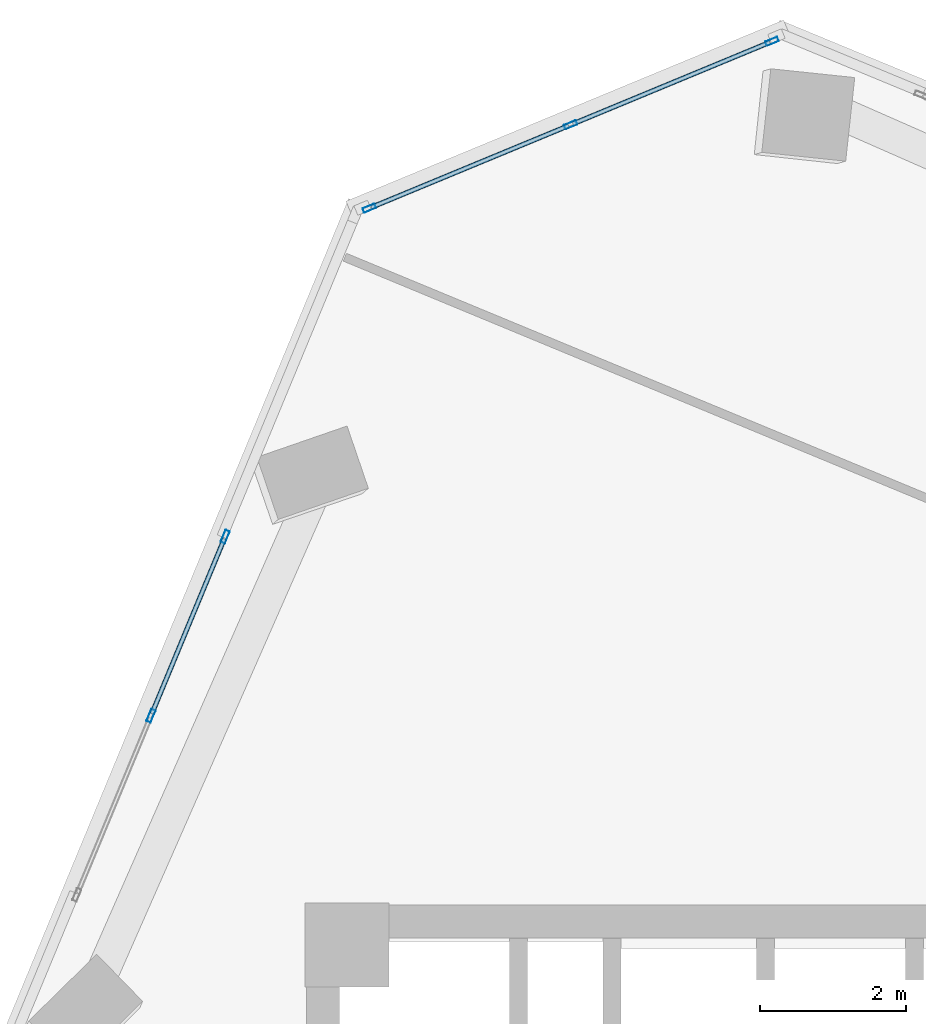
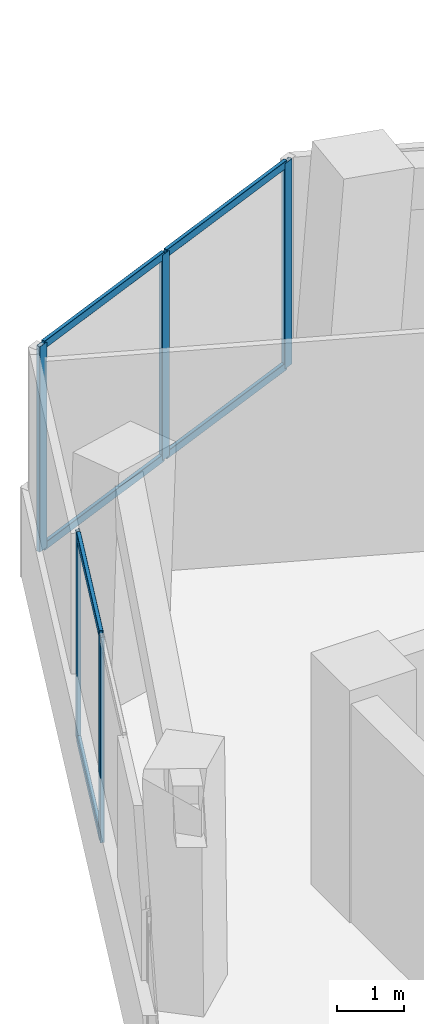
# One storey, part 12 of 23: 11 members, 2 elements without a shape of their own.
"""IFC4 building model written with IfcOpenShell, lengths in metres."""

import ifcopenshell
import ifcopenshell.guid

model = None  # the IFC model being written
_history = None  # IfcOwnerHistory: only IFC2X3 demands one
_inside = {}  # id of a spatial element -> (the spatial element, [elements in it])
_under = {}  # id of a project, library or spatial element -> (it, [spatial elements below it])
_declared = {}  # id of a project -> (the project, [libraries it declares])
_typed = {}  # id of a type object -> (the type object, [elements of that type])
_made_of = {}  # id of a material, layer set ... -> (it, [elements and type objects made of it])


def new_model(schema):
    """Start an empty IFC model of exactly this schema.

    Asked for "IFC4X3", IfcOpenShell would pick the latest addendum, in which some entities
    have other attributes; the version numbers below select the first issue.
    IFC2X3 requires an IfcOwnerHistory on every rooted entity: one is made here for all.
    """
    global model, _history
    if schema == "IFC4X3":
        model = ifcopenshell.file(schema_version=(4, 3, 0, 0))
    else:
        model = ifcopenshell.file(schema=schema)
    _inside.clear()
    _under.clear()
    _declared.clear()
    _typed.clear()
    _made_of.clear()
    _history = None
    if model.schema == "IFC2X3":
        org = make("IfcOrganization", Name="unknown")
        user = make(
            "IfcPersonAndOrganization",
            ThePerson=make("IfcPerson", FamilyName="unknown"),
            TheOrganization=org,
        )
        app = make(
            "IfcApplication",
            ApplicationDeveloper=org,
            Version="unknown",
            ApplicationFullName="unknown",
            ApplicationIdentifier="unknown",
        )
        _history = make(
            "IfcOwnerHistory",
            OwningUser=user,
            OwningApplication=app,
            ChangeAction="ADDED",
            CreationDate=0,
        )
    return model


def make(cls, **values):
    """One entity of the class cls with the attributes given. An attribute that is None is left unset."""
    return model.create_entity(
        cls, **{name: value for name, value in values.items() if value is not None}
    )


def rooted(cls, **values):
    """An entity with a GlobalId (a new one), such as an element, a storey or a relation."""
    return make(cls, GlobalId=ifcopenshell.guid.new(), OwnerHistory=_history, **values)


def si_unit(unit_type, name, prefix=None):
    """IfcSIUnit, for example si_unit("LENGTHUNIT", "METRE", prefix="MILLI")."""
    return make("IfcSIUnit", UnitType=unit_type, Prefix=prefix, Name=name)


def assignment(units):
    """IfcUnitAssignment: the units of a project."""
    return None if units is None else make("IfcUnitAssignment", Units=units)


def point(xyz):
    """IfcCartesianPoint."""
    return None if xyz is None else make("IfcCartesianPoint", Coordinates=xyz)


def direction(xyz):
    """IfcDirection."""
    return None if xyz is None else make("IfcDirection", DirectionRatios=xyz)


def frame(location, z_axis=None, x_axis=None):
    """IfcAxis2Placement3D, a coordinate frame: its origin and axes. An axis left out is left unset."""
    return make(
        "IfcAxis2Placement3D",
        Location=point(location),
        Axis=direction(z_axis),
        RefDirection=direction(x_axis),
    )


def frame_2d(location, x_axis=None):
    """IfcAxis2Placement2D, a coordinate frame in the plane: its origin and x axis."""
    return make(
        "IfcAxis2Placement2D", Location=point(location), RefDirection=direction(x_axis)
    )


def origin():
    """The frame at (0, 0, 0) with its axes left unset."""
    return frame((0.0, 0.0, 0.0))


def origin_2d():
    """The frame at (0, 0) in the plane with its x axis left unset."""
    return frame_2d((0.0, 0.0))


def place(relative_to, where):
    """IfcLocalPlacement: puts the frame where relative to a parent placement (None: the world)."""
    return make(
        "IfcLocalPlacement", PlacementRelTo=relative_to, RelativePlacement=where
    )


def context(
    kind, dimensions, precision=None, world=None, true_north=None, identifier=None
):
    """IfcGeometricRepresentationContext, for example the 3D "Model" context."""
    return make(
        "IfcGeometricRepresentationContext",
        ContextIdentifier=identifier,
        ContextType=kind,
        CoordinateSpaceDimension=dimensions,
        Precision=precision,
        WorldCoordinateSystem=world,
        TrueNorth=true_north,
    )


def subcontext(parent, identifier, kind, view, scale=None):
    """IfcGeometricRepresentationSubContext, for example "Body" below "Model"."""
    return make(
        "IfcGeometricRepresentationSubContext",
        ContextIdentifier=identifier,
        ContextType=kind,
        ParentContext=parent,
        TargetScale=scale,
        TargetView=view,
    )


def project(units=None, contexts=None):
    """IfcProject with its units and contexts."""
    return rooted(
        "IfcProject",
        Name="project",
        RepresentationContexts=contexts,
        UnitsInContext=assignment(units),
    )


def spatial(cls, under=None, at=None, **own):
    """A site, building, storey or space (cls), placed at a placement, below another one or the project."""
    s = rooted(cls, ObjectPlacement=at, **own)
    if under is not None:
        _under.setdefault(under.id(), (under, []))[1].append(s)
    return s


def profile(cls, at=None, kind="AREA", **sizes):
    """A parametric profile (cls). Its sizes go by their IFC names, for example OverallWidth=200.0."""
    return make(cls, ProfileType=kind, Position=at, **sizes)


def hollow_rectangle(**sizes):
    """IfcRectangleHollowProfileDef."""
    return profile("IfcRectangleHollowProfileDef", **sizes)


def extrude(swept, where, along, depth):
    """IfcExtrudedAreaSolid: the profile swept, set in the frame where, extruded along a direction by depth."""
    return make(
        "IfcExtrudedAreaSolid",
        SweptArea=swept,
        Position=where,
        ExtrudedDirection=direction(along),
        Depth=depth,
    )


def shape(context_of_items, identifier, shape_type, items):
    """IfcShapeRepresentation: the items that make up one representation, for example the "Body"."""
    return make(
        "IfcShapeRepresentation",
        ContextOfItems=context_of_items,
        RepresentationIdentifier=identifier,
        RepresentationType=shape_type,
        Items=items,
    )


def source(mapping_origin, context_of_items, identifier, shape_type, items):
    """IfcRepresentationMap: a shape defined once, which mapped items show again and again."""
    return make(
        "IfcRepresentationMap",
        MappingOrigin=mapping_origin,
        MappedRepresentation=shape(context_of_items, identifier, shape_type, items),
    )


def transform(
    local_origin,
    x_axis=None,
    y_axis=None,
    z_axis=None,
    scale=None,
    scale2=None,
    scale3=None,
    uniform=True,
):
    """IfcCartesianTransformationOperator3D, or its non-uniform kind. x_axis, y_axis, z_axis: its Axis1, 2, 3."""
    if uniform:
        return make(
            "IfcCartesianTransformationOperator3D",
            Axis1=direction(x_axis),
            Axis2=direction(y_axis),
            LocalOrigin=point(local_origin),
            Scale=scale,
            Axis3=direction(z_axis),
        )
    return make(
        "IfcCartesianTransformationOperator3DnonUniform",
        Axis1=direction(x_axis),
        Axis2=direction(y_axis),
        LocalOrigin=point(local_origin),
        Scale=scale,
        Axis3=direction(z_axis),
        Scale2=scale2,
        Scale3=scale3,
    )


def mapped(mapping_source, mapping_target):
    """IfcMappedItem: shows the shape of a source again, moved by a transform."""
    return make(
        "IfcMappedItem", MappingSource=mapping_source, MappingTarget=mapping_target
    )


def material(Name=None, Category=None):
    """IfcMaterial."""
    return make("IfcMaterial", Name=Name, Category=Category)


def material_profile(
    of_material, cross_section, Name=None, Category=None, Priority=None
):
    """IfcMaterialProfile: a cross section and its material."""
    return make(
        "IfcMaterialProfile",
        Name=Name,
        Material=of_material,
        Profile=cross_section,
        Priority=Priority,
        Category=Category,
    )


def profile_set(profiles, Name=None, composite=None):
    """IfcMaterialProfileSet."""
    return make(
        "IfcMaterialProfileSet",
        Name=Name,
        MaterialProfiles=profiles,
        CompositeProfile=composite,
    )


def made_of(thing, what):
    """Note that an element or type object is made of a material, layer set ...; save() writes the relation."""
    if what is not None:
        _made_of.setdefault(what.id(), (what, []))[1].append(thing)
    return thing


def type_object(cls, material=None, **own):
    """A type object (cls), such as IfcWallType, which elements share."""
    return made_of(rooted(cls, **own), material)


def element(
    cls,
    number,
    at=None,
    inside=None,
    cuts=None,
    type_object=None,
    material=None,
    context=None,
    identifier="Body",
    shape_type=None,
    held_by="IfcProductDefinitionShape",
    body=None,
    shapes=None,
    **own,
):
    """One element of the class cls, such as IfcWall. Its Tag is "e" and its number.

    at: its placement. inside: the storey or other place that contains it. cuts: it is an
    opening in that element (IfcRelVoidsElement). A single representation is given by context,
    identifier, shape_type and body (its items); several are given by shapes. held_by: the class
    of the entity that holds the representations. save() writes the other relations.
    """
    e = rooted(cls, Tag="e%d" % number, ObjectPlacement=at, **own)
    if body is not None:
        shapes = [shape(context, identifier, shape_type, body)]
    if shapes is not None:
        e.Representation = make(held_by, Representations=shapes)
    if inside is not None:
        _inside.setdefault(inside.id(), (inside, []))[1].append(e)
    if cuts is not None:
        rooted(
            "IfcRelVoidsElement", RelatingBuildingElement=cuts, RelatedOpeningElement=e
        )
    if type_object is not None:
        _typed.setdefault(type_object.id(), (type_object, []))[1].append(e)
    return made_of(e, material)


def aggregate(whole, parts):
    """IfcRelAggregates: a whole, such as a stair, and the parts it consists of."""
    return rooted("IfcRelAggregates", RelatingObject=whole, RelatedObjects=parts)


def save(model, path):
    """Write the relations noted so far, then the file.

    IfcRelAggregates (storeys below a building ...), IfcRelContainedInSpatialStructure (elements
    in a storey), IfcRelDefinesByType, IfcRelAssociatesMaterial and IfcRelDeclares: one each for
    every whole, place, type object, material and project.
    """
    for whole, parts in _under.values():
        aggregate(whole, parts)
    for where, things in _inside.values():
        rooted(
            "IfcRelContainedInSpatialStructure",
            RelatedElements=things,
            RelatingStructure=where,
        )
    for kind, things in _typed.values():
        rooted("IfcRelDefinesByType", RelatedObjects=things, RelatingType=kind)
    for what, things in _made_of.values():
        rooted("IfcRelAssociatesMaterial", RelatedObjects=things, RelatingMaterial=what)
    for by, libraries in _declared.values():
        rooted("IfcRelDeclares", RelatingContext=by, RelatedDefinitions=libraries)
    model.write(path)


model = new_model("IFC4")

# Units and contexts
model_context = context("Model", 3, precision=1e-05, world=origin(), true_north=direction((0.0, 1.0)))
body_context = subcontext(model_context, "Body", "Model", "MODEL_VIEW")
ifc_project = project(units=[si_unit("LENGTHUNIT", "METRE"), si_unit("AREAUNIT", "SQUARE_METRE"), si_unit("VOLUMEUNIT", "CUBIC_METRE"), si_unit("PLANEANGLEUNIT", "RADIAN"), si_unit("MASSUNIT", "GRAM", prefix="KILO")], contexts=[model_context])

# Site, building, storey
site_placement = place(None, origin())
site = spatial("IfcSite", under=ifc_project, at=site_placement, CompositionType="ELEMENT")
building_placement = place(site_placement, origin())
building = spatial("IfcBuilding", under=site, at=building_placement, Name="Torre Montelarca", CompositionType="ELEMENT")
storey_placement = place(building_placement, frame((0.0, 0.0, 145.60009765625)))
storey = spatial("IfcBuildingStorey", under=building, at=storey_placement, Name="L32", CompositionType="ELEMENT", Elevation=145.60009765625)

# Curtain wall, members
ifc_material_1 = material(Name="Insulated low-E laminated glass", Category="glass")
curtain_wall_type = type_object("IfcCurtainWallType", Name="CW-SYS-Z2", PredefinedType="USERDEFINED", material=ifc_material_1)
curtain_wall_1_placement = place(storey_placement, origin())
curtain_wall_1 = element("IfcCurtainWall", 1, at=curtain_wall_1_placement, inside=storey, type_object=curtain_wall_type, Name="L32 Curtain Wall Run CW-T3-L32-E09-B1", ObjectType="UNITISED GLAZING", PredefinedType="USERDEFINED")
ifc_material_2 = material(Name="Anodised aluminium AA 6063-T6", Category="aluminium")
ifc_material_profile_1 = material_profile(ifc_material_2, hollow_rectangle(XDim=0.06494140625, YDim=0.139892578125, WallThickness=0.00390625, InnerFilletRadius=0.00390625, OuterFilletRadius=0.008056640625, at=origin_2d()), Name="ALU65X140X4", Category="aluminium")
ifc_profile_set_1 = profile_set([ifc_material_profile_1], Name="Anodised aluminium AA 6063-T6")
member_type_1 = type_object("IfcMemberType", Name="CWT-ALU140", PredefinedType="USERDEFINED", material=ifc_profile_set_1)
shared_shape_1 = source(origin(), body_context, "Body", "SweptSolid", [
    extrude(hollow_rectangle(XDim=0.06494140625, YDim=0.139892578125, WallThickness=0.00390625, InnerFilletRadius=0.00390625, OuterFilletRadius=0.008056640625, at=origin_2d()), origin(), (0.0, 0.0, 1.0), 2.918701171875),
])
member_1_placement = place(storey_placement, frame((15.3408203125, 51.809814453125, 0.032470703125), z_axis=(-0.92387920118, -0.382684232268, 0.0), x_axis=(0.382684232268, -0.92387920118, 0.0)))
member_1 = element("IfcMember", 2, at=member_1_placement, type_object=member_type_1, Name="CW transom 1.1", ObjectType="TRANSOM", PredefinedType="USERDEFINED", context=body_context, shape_type="MappedRepresentation", body=[
    mapped(shared_shape_1, transform((0.0, 0.0, 0.0), scale=1.0)),
])
member_2_placement = place(storey_placement, frame((15.3408203125, 51.809814453125, 3.6875), z_axis=(-0.92387920118, -0.382684232268, 0.0), x_axis=(0.382684232268, -0.92387920118, 0.0)))
member_2 = element("IfcMember", 3, at=member_2_placement, type_object=member_type_1, Name="CW transom 1.2", ObjectType="TRANSOM", PredefinedType="USERDEFINED", context=body_context, shape_type="MappedRepresentation", body=[
    mapped(shared_shape_1, transform((0.0, 0.0, 0.0), scale=1.0)),
])
member_3_placement = place(storey_placement, frame((12.584228515625, 50.66796875, 0.032470703125), z_axis=(-0.923908773038, -0.382612831859, 0.0), x_axis=(0.382612831859, -0.923908773038, 0.0)))
member_3 = element("IfcMember", 4, at=member_3_placement, type_object=member_type_1, Name="CW transom 2.1", ObjectType="TRANSOM", PredefinedType="USERDEFINED", context=body_context, shape_type="MappedRepresentation", body=[
    mapped(shared_shape_1, transform((0.0, 0.0, 0.0), scale=1.0)),
])
member_4_placement = place(storey_placement, frame((12.584228515625, 50.66796875, 3.6875), z_axis=(-0.923908773038, -0.382612831859, 0.0), x_axis=(0.382612831859, -0.923908773038, 0.0)))
member_4 = element("IfcMember", 5, at=member_4_placement, type_object=member_type_1, Name="CW transom 2.2", ObjectType="TRANSOM", PredefinedType="USERDEFINED", context=body_context, shape_type="MappedRepresentation", body=[
    mapped(shared_shape_1, transform((0.0, 0.0, 0.0), scale=1.0)),
])

curtain_wall_2_placement = place(storey_placement, origin())
curtain_wall_2 = element("IfcCurtainWall", 6, at=curtain_wall_2_placement, inside=storey, type_object=curtain_wall_type, Name="L32 Curtain Wall Run CW-T3-L32-E10-B1", ObjectType="UNITISED GLAZING", PredefinedType="USERDEFINED")
shared_shape_2 = source(origin(), body_context, "Body", "SweptSolid", [
    extrude(hollow_rectangle(XDim=0.06494140625, YDim=0.139892578125, WallThickness=0.00390625, InnerFilletRadius=0.00390625, OuterFilletRadius=0.008056640625, at=origin_2d()), origin(), (0.0, 0.0, 1.0), 2.588623046875),
])
member_5_placement = place(storey_placement, frame((7.87158203125, 45.0107421875, 0.032470703125), z_axis=(-0.382712729292, -0.923867396783, 0.0), x_axis=(0.923867396783, -0.382712729292, 0.0)))
member_5 = element("IfcMember", 7, at=member_5_placement, type_object=member_type_1, Name="CW transom 1.1", ObjectType="TRANSOM", PredefinedType="USERDEFINED", context=body_context, shape_type="MappedRepresentation", body=[
    mapped(shared_shape_2, transform((0.0, 0.0, 0.0), scale=1.0)),
])
member_6_placement = place(storey_placement, frame((7.87158203125, 45.0107421875, 3.6875), z_axis=(-0.382712729292, -0.923867396783, 0.0), x_axis=(0.923867396783, -0.382712729292, 0.0)))
member_6 = element("IfcMember", 8, at=member_6_placement, type_object=member_type_1, Name="CW transom 1.2", ObjectType="TRANSOM", PredefinedType="USERDEFINED", context=body_context, shape_type="MappedRepresentation", body=[
    mapped(shared_shape_2, transform((0.0, 0.0, 0.0), scale=1.0)),
])

# Member
ifc_material_profile_2 = material_profile(ifc_material_2, hollow_rectangle(XDim=0.06494140625, YDim=0.179931640625, WallThickness=0.00390625, InnerFilletRadius=0.00390625, OuterFilletRadius=0.008056640625, at=origin_2d()), Name="ALU65X180X4", Category="aluminium")
ifc_profile_set_2 = profile_set([ifc_material_profile_2], Name="Anodised aluminium AA 6063-T6")
member_type_2 = type_object("IfcMemberType", Name="CWM-ALU180", PredefinedType="MULLION", material=ifc_profile_set_2)
shared_shape_3 = source(origin(), body_context, "Body", "SweptSolid", [
    extrude(hollow_rectangle(XDim=0.06494140625, YDim=0.179931640625, WallThickness=0.00390625, InnerFilletRadius=0.00390625, OuterFilletRadius=0.008056640625, at=origin_2d()), origin(), (0.0, 0.0, 1.0), 3.719970703125),
])
member_7_placement = place(storey_placement, frame((15.370849609375, 51.822265625, 0.0), z_axis=(0.0, 0.0, 1.0), x_axis=(0.38267584742, -0.923882674262, 0.0)))
member_7 = element("IfcMember", 9, at=member_7_placement, type_object=member_type_2, Name="CW mullion 1", PredefinedType="MULLION", context=body_context, shape_type="MappedRepresentation", body=[
    mapped(shared_shape_3, transform((0.0, 0.0, 0.0), scale=1.0)),
])

member_8_placement = place(storey_placement, frame((12.6142578125, 50.680419921875, 0.0), z_axis=(0.0, 0.0, 1.0), x_axis=(0.38267584742, -0.923882674262, 0.0)))
member_8 = element("IfcMember", 10, at=member_8_placement, type_object=member_type_2, Name="CW mullion 2", PredefinedType="MULLION", context=body_context, shape_type="MappedRepresentation", body=[
    mapped(shared_shape_3, transform((0.0, 0.0, 0.0), scale=1.0)),
])

member_9_placement = place(storey_placement, frame((9.857666015625, 49.538818359375, 0.0), z_axis=(0.0, 0.0, 1.0), x_axis=(0.38267584742, -0.923882674262, 0.0)))
member_9 = element("IfcMember", 11, at=member_9_placement, type_object=member_type_2, Name="CW mullion 3", PredefinedType="MULLION", context=body_context, shape_type="MappedRepresentation", body=[
    mapped(shared_shape_3, transform((0.0, 0.0, 0.0), scale=1.0)),
])

aggregate(curtain_wall_1, [member_7, member_8, member_9, member_1, member_2, member_3, member_4])

member_10_placement = place(storey_placement, frame((7.884033203125, 45.040771484375, 0.0), z_axis=(0.0, 0.0, 1.0), x_axis=(0.923876177357, -0.382691532323, 0.0)))
member_10 = element("IfcMember", 12, at=member_10_placement, type_object=member_type_2, Name="CW mullion 1", PredefinedType="MULLION", context=body_context, shape_type="MappedRepresentation", body=[
    mapped(shared_shape_3, transform((0.0, 0.0, 0.0), scale=1.0)),
])

member_11_placement = place(storey_placement, frame((6.868408203125, 42.589111328125, 0.0), z_axis=(0.0, 0.0, 1.0), x_axis=(0.923876177357, -0.382691532323, 0.0)))
member_11 = element("IfcMember", 13, at=member_11_placement, type_object=member_type_2, Name="CW mullion 2", PredefinedType="MULLION", context=body_context, shape_type="MappedRepresentation", body=[
    mapped(shared_shape_3, transform((0.0, 0.0, 0.0), scale=1.0)),
])

aggregate(curtain_wall_2, [member_10, member_11, member_5, member_6])

save(model, "model.ifc")
